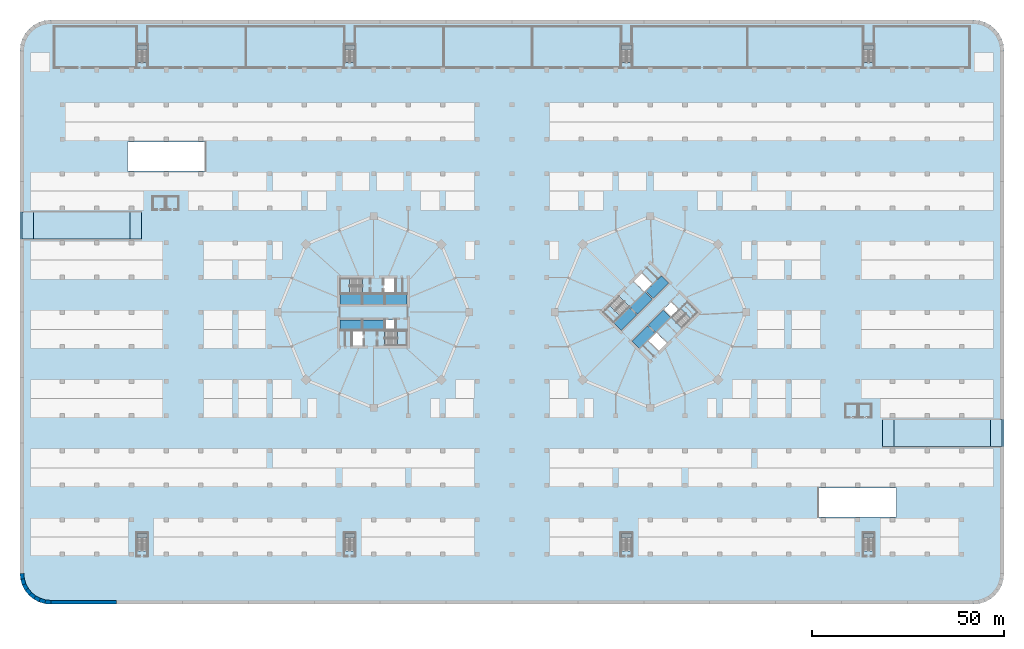
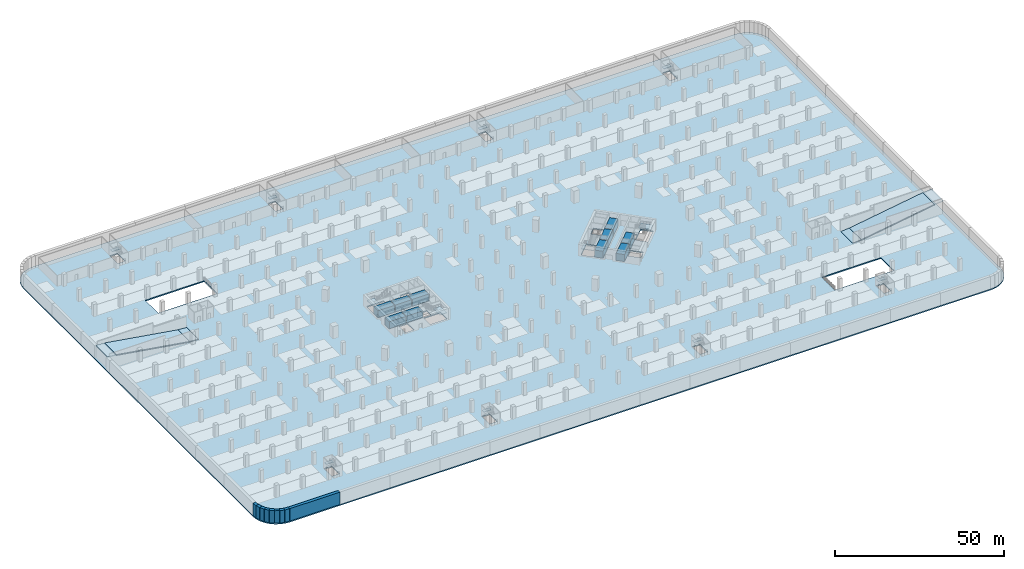
# One storey, part 7 of 34: 29 slabs, 9 walls, 12 elements without a shape of their own.
"""IFC4 building model written with IfcOpenShell, lengths in metres."""

from ifc_helpers import new_model, si_unit, direction, frame, frame_2d, origin, place, context, subcontext, project, spatial, polyline, rectangle, outline, extrude, material, layer, layer_set, type_object, element, aggregate, save


model = new_model("IFC4")

# Units and contexts
model_context = context("Model", 3, precision=1e-05, world=origin(), true_north=direction((0.0, 1.0)))
body_context = subcontext(model_context, "Body", "Model", "MODEL_VIEW")
ifc_project = project(units=[si_unit("LENGTHUNIT", "METRE"), si_unit("AREAUNIT", "SQUARE_METRE"), si_unit("VOLUMEUNIT", "CUBIC_METRE"), si_unit("PLANEANGLEUNIT", "RADIAN"), si_unit("MASSUNIT", "GRAM", prefix="KILO")], contexts=[model_context])

# Site, building, storey
site_placement = place(None, origin())
site = spatial("IfcSite", under=ifc_project, at=site_placement, CompositionType="ELEMENT")
building_placement = place(site_placement, origin())
building = spatial("IfcBuilding", under=site, at=building_placement, Name="Ogive Gate Towers", CompositionType="ELEMENT")
storey_placement = place(building_placement, frame((0.0, 0.0, -4.5)))
storey = spatial("IfcBuildingStorey", under=building, at=storey_placement, Name="B1", CompositionType="ELEMENT", Elevation=-4.5)

# Stair, slab
ifc_material_1 = material(Name="Reinforced concrete C32/40", Category="concrete")
stair_type_1 = type_object("IfcStairType", Name="Car park escape stair 173 x 280", PredefinedType="HALF_TURN_STAIR", material=ifc_material_1)
stair_1_placement = place(storey_placement, origin())
stair_1 = element("IfcStair", 1, at=stair_1_placement, inside=storey, type_object=stair_type_1, Name="B1 escape stair", PredefinedType="HALF_TURN_STAIR")
ifc_layer_1 = layer(ifc_material_1, 0.199951171875)
ifc_layer_set_1 = layer_set([ifc_layer_1], Name="Car park stair landing 200")
slab_type_1 = type_object("IfcSlabType", Name="Car park stair landing 200", PredefinedType="LANDING", material=ifc_layer_set_1)
slab_1_placement = place(storey_placement, frame((0.0, 0.0, 2.050048828125)))
slab_1 = element("IfcSlab", 2, at=slab_1_placement, type_object=slab_type_1, Name="CS1 landing 1", PredefinedType="LANDING", context=body_context, shape_type="SweptSolid", body=[
    extrude(outline(polyline([(-94.949951171875, 68.260009765625), (-94.949951171875, 69.4599609375), (-97.5, 69.4599609375), (-97.5, 68.260009765625), (-94.949951171875, 68.260009765625)])), origin(), (0.0, 0.0, 1.0), 0.199951171875),
])
aggregate(stair_1, [slab_1])

stair_2_placement = place(storey_placement, origin())
stair_2 = element("IfcStair", 3, at=stair_2_placement, inside=storey, type_object=stair_type_1, Name="B1 escape stair", PredefinedType="HALF_TURN_STAIR")
slab_2_placement = place(storey_placement, frame((0.0, 0.0, 2.050048828125)))
slab_2 = element("IfcSlab", 4, at=slab_2_placement, type_object=slab_type_1, Name="CS2 landing 1", PredefinedType="LANDING", context=body_context, shape_type="SweptSolid", body=[
    extrude(outline(polyline([(-40.949951171875, 68.260009765625), (-40.949951171875, 69.4599609375), (-43.5, 69.4599609375), (-43.5, 68.260009765625), (-40.949951171875, 68.260009765625)])), origin(), (0.0, 0.0, 1.0), 0.199951171875),
])
aggregate(stair_2, [slab_2])

stair_3_placement = place(storey_placement, origin())
stair_3 = element("IfcStair", 5, at=stair_3_placement, inside=storey, type_object=stair_type_1, Name="B1 escape stair", PredefinedType="HALF_TURN_STAIR")
slab_3_placement = place(storey_placement, frame((0.0, 0.0, 2.050048828125)))
slab_3 = element("IfcSlab", 6, at=slab_3_placement, type_object=slab_type_1, Name="CS3 landing 1", PredefinedType="LANDING", context=body_context, shape_type="SweptSolid", body=[
    extrude(outline(polyline([(31.050048828125, 68.260009765625), (31.050048828125, 69.4599609375), (28.5, 69.4599609375), (28.5, 68.260009765625), (31.050048828125, 68.260009765625)])), origin(), (0.0, 0.0, 1.0), 0.199951171875),
])
aggregate(stair_3, [slab_3])

stair_4_placement = place(storey_placement, origin())
stair_4 = element("IfcStair", 7, at=stair_4_placement, inside=storey, type_object=stair_type_1, Name="B1 escape stair", PredefinedType="HALF_TURN_STAIR")
slab_4_placement = place(storey_placement, frame((0.0, 0.0, 2.050048828125)))
slab_4 = element("IfcSlab", 8, at=slab_4_placement, type_object=slab_type_1, Name="CS4 landing 1", PredefinedType="LANDING", context=body_context, shape_type="SweptSolid", body=[
    extrude(outline(polyline([(94.050048828125, 68.260009765625), (94.050048828125, 69.4599609375), (91.5, 69.4599609375), (91.5, 68.260009765625), (94.050048828125, 68.260009765625)])), origin(), (0.0, 0.0, 1.0), 0.199951171875),
])
aggregate(stair_4, [slab_4])

stair_5_placement = place(storey_placement, origin())
stair_5 = element("IfcStair", 9, at=stair_5_placement, inside=storey, type_object=stair_type_1, Name="B1 escape stair", PredefinedType="HALF_TURN_STAIR")
slab_5_placement = place(storey_placement, frame((0.0, 0.0, 2.050048828125)))
slab_5 = element("IfcSlab", 10, at=slab_5_placement, type_object=slab_type_1, Name="CS5 landing 1", PredefinedType="LANDING", context=body_context, shape_type="SweptSolid", body=[
    extrude(outline(polyline([(-94.949951171875, -58.739990234375), (-94.949951171875, -57.5400390625), (-97.5, -57.5400390625), (-97.5, -58.739990234375), (-94.949951171875, -58.739990234375)])), origin(), (0.0, 0.0, 1.0), 0.199951171875),
])
aggregate(stair_5, [slab_5])

stair_6_placement = place(storey_placement, origin())
stair_6 = element("IfcStair", 11, at=stair_6_placement, inside=storey, type_object=stair_type_1, Name="B1 escape stair", PredefinedType="HALF_TURN_STAIR")
slab_6_placement = place(storey_placement, frame((0.0, 0.0, 2.050048828125)))
slab_6 = element("IfcSlab", 12, at=slab_6_placement, type_object=slab_type_1, Name="CS6 landing 1", PredefinedType="LANDING", context=body_context, shape_type="SweptSolid", body=[
    extrude(outline(polyline([(-40.949951171875, -58.739990234375), (-40.949951171875, -57.5400390625), (-43.5, -57.5400390625), (-43.5, -58.739990234375), (-40.949951171875, -58.739990234375)])), origin(), (0.0, 0.0, 1.0), 0.199951171875),
])
aggregate(stair_6, [slab_6])

stair_7_placement = place(storey_placement, origin())
stair_7 = element("IfcStair", 13, at=stair_7_placement, inside=storey, type_object=stair_type_1, Name="B1 escape stair", PredefinedType="HALF_TURN_STAIR")
slab_7_placement = place(storey_placement, frame((0.0, 0.0, 2.050048828125)))
slab_7 = element("IfcSlab", 14, at=slab_7_placement, type_object=slab_type_1, Name="CS7 landing 1", PredefinedType="LANDING", context=body_context, shape_type="SweptSolid", body=[
    extrude(outline(polyline([(31.050048828125, -58.739990234375), (31.050048828125, -57.5400390625), (28.5, -57.5400390625), (28.5, -58.739990234375), (31.050048828125, -58.739990234375)])), origin(), (0.0, 0.0, 1.0), 0.199951171875),
])
aggregate(stair_7, [slab_7])

stair_8_placement = place(storey_placement, origin())
stair_8 = element("IfcStair", 15, at=stair_8_placement, inside=storey, type_object=stair_type_1, Name="B1 escape stair", PredefinedType="HALF_TURN_STAIR")
slab_8_placement = place(storey_placement, frame((0.0, 0.0, 2.050048828125)))
slab_8 = element("IfcSlab", 16, at=slab_8_placement, type_object=slab_type_1, Name="CS8 landing 1", PredefinedType="LANDING", context=body_context, shape_type="SweptSolid", body=[
    extrude(outline(polyline([(94.050048828125, -58.739990234375), (94.050048828125, -57.5400390625), (91.5, -57.5400390625), (91.5, -58.739990234375), (94.050048828125, -58.739990234375)])), origin(), (0.0, 0.0, 1.0), 0.199951171875),
])
aggregate(stair_8, [slab_8])

# Slabs
ifc_material_2 = material(Name="Concrete C35/45", Category="concrete")
ifc_layer_2 = layer(ifc_material_2, 0.400390625)
ifc_layer_set_2 = layer_set([ifc_layer_2], Name="Flat plate slab 400")
slab_type_2 = type_object("IfcSlabType", Name="Flat plate slab 400", PredefinedType="FLOOR", material=ifc_layer_set_2)
slab_9_placement = place(storey_placement, frame((0.0, 0.0, -0.400390625)))
element("IfcSlab", 17, at=slab_9_placement, inside=storey, type_object=slab_type_2, Name="BS/B1/SSL001", PredefinedType="FLOOR", context=body_context, shape_type="SweptSolid", body=[
    extrude(outline(polyline([(121.560791015625, 75.84619140625), (120.0, 76.0), (-120.0, 76.0), (-121.560791015625, 75.84619140625), (-123.0615234375, 75.39111328125), (-124.444580078125, 74.65185546875), (-125.65673828125, 73.65673828125), (-126.65185546875, 72.444580078125), (-127.39111328125, 71.0615234375), (-127.84619140625, 69.560791015625), (-128.0, 68.0), (-128.0, -68.0), (-127.84619140625, -69.560791015625), (-127.39111328125, -71.0615234375), (-126.65185546875, -72.444580078125), (-125.65673828125, -73.65673828125), (-124.444580078125, -74.65185546875), (-123.0615234375, -75.39111328125), (-121.560791015625, -75.84619140625), (-120.0, -76.0), (120.0, -76.0), (121.560791015625, -75.84619140625), (123.0615234375, -75.39111328125), (124.444580078125, -74.65185546875), (125.65673828125, -73.65673828125), (126.65185546875, -72.444580078125), (127.39111328125, -71.0615234375), (127.84619140625, -69.560791015625), (128.0, -68.0), (128.0, 68.0), (127.84619140625, 69.560791015625), (127.39111328125, 71.0615234375), (126.65185546875, 72.444580078125), (125.65673828125, 73.65673828125), (124.444580078125, 74.65185546875), (123.0615234375, 75.39111328125), (121.560791015625, 75.84619140625)]), holes=[polyline([(-32.97509765625, -4.625), (-32.97509765625, -2.0), (-30.324951171875, -2.0), (-30.324951171875, -4.625), (-32.97509765625, -4.625)]), polyline([(-30.425048828125, 8.699951171875), (-30.425048828125, 4.875), (-33.375, 4.875), (-33.375, 8.699951171875), (-30.425048828125, 8.699951171875)]), polyline([(-41.574951171875, -8.699951171875), (-41.574951171875, -4.875), (-38.625, -4.875), (-38.625, -8.699951171875), (-41.574951171875, -8.699951171875)]), polyline([(-44.699951171875, 4.875), (-44.699951171875, 8.699951171875), (-38.885009765625, 8.699951171875), (-38.885009765625, 4.875), (-44.699951171875, 4.875)]), polyline([(-33.114990234375, -8.699951171875), (-33.114990234375, -4.875), (-27.300048828125, -4.875), (-27.300048828125, -8.699951171875), (-33.114990234375, -8.699951171875)]), polyline([(39.55322265625, 0.724853515625), (41.427001953125, 2.5986328125), (43.283203125, 0.742431640625), (41.409423828125, -1.13134765625), (39.55322265625, 0.724853515625)]), polyline([(36.494873046875, 7.38916015625), (34.408935546875, 5.30322265625), (31.704345703125, 8.008056640625), (33.790283203125, 10.093994140625), (36.494873046875, 7.38916015625)]), polyline([(35.505126953125, -7.38916015625), (37.591064453125, -5.30322265625), (40.295654296875, -8.008056640625), (38.209716796875, -10.093994140625), (35.505126953125, -7.38916015625)]), polyline([(23.6962890625, 0.0), (27.80810546875, 4.11181640625), (30.512939453125, 1.4072265625), (26.401123046875, -2.70458984375), (23.6962890625, 0.0)]), polyline([(41.487060546875, -1.4072265625), (45.598876953125, 2.70458984375), (48.3037109375, 0.0), (44.19189453125, -4.11181640625), (41.487060546875, -1.4072265625)]), polyline([(-100.0, 44.300048828125), (-79.800048828125, 44.300048828125), (-79.800048828125, 36.699951171875), (-100.0, 36.699951171875), (-100.0, 44.300048828125)]), polyline([(100.0, -45.699951171875), (100.0, -53.300048828125), (79.800048828125, -53.300048828125), (79.800048828125, -45.699951171875), (100.0, -45.699951171875)]), polyline([(-94.949951171875, 64.89990234375), (-97.5, 64.89990234375), (-97.5, 69.4599609375), (-94.949951171875, 69.4599609375), (-94.949951171875, 64.89990234375)]), polyline([(-43.5, 64.89990234375), (-43.5, 69.4599609375), (-40.949951171875, 69.4599609375), (-40.949951171875, 64.89990234375), (-43.5, 64.89990234375)]), polyline([(28.5, 69.4599609375), (31.050048828125, 69.4599609375), (31.050048828125, 64.89990234375), (28.5, 64.89990234375), (28.5, 69.4599609375)]), polyline([(94.050048828125, 69.4599609375), (94.050048828125, 64.89990234375), (91.5, 64.89990234375), (91.5, 69.4599609375), (94.050048828125, 69.4599609375)]), polyline([(-94.949951171875, -62.10009765625), (-97.5, -62.10009765625), (-97.5, -57.5400390625), (-94.949951171875, -57.5400390625), (-94.949951171875, -62.10009765625)]), polyline([(-43.5, -62.10009765625), (-43.5, -57.5400390625), (-40.949951171875, -57.5400390625), (-40.949951171875, -62.10009765625), (-43.5, -62.10009765625)]), polyline([(28.5, -57.5400390625), (31.050048828125, -57.5400390625), (31.050048828125, -62.10009765625), (28.5, -62.10009765625), (28.5, -57.5400390625)]), polyline([(94.050048828125, -57.5400390625), (94.050048828125, -62.10009765625), (91.5, -62.10009765625), (91.5, -57.5400390625), (94.050048828125, -57.5400390625)])]), origin(), (0.0, 0.0, 1.0), 0.400390625),
])
ifc_material_3 = material(Name="Concrete C40/50", Category="concrete")
ifc_layer_3 = layer(ifc_material_3, 2.5)
ifc_layer_set_3 = layer_set([ifc_layer_3], Name="Lift pit base C40/50 2500 mm")
slab_type_3 = type_object("IfcSlabType", Name="Lift pit base C40/50 2500 mm", PredefinedType="BASESLAB", material=ifc_layer_set_3)
slab_10_placement = place(storey_placement, origin())
element("IfcSlab", 18, at=slab_10_placement, inside=storey, type_object=slab_type_3, Name="T1 lift pit base A1", PredefinedType="BASESLAB", context=body_context, shape_type="SweptSolid", body=[
    extrude(outline(polyline([(-44.699951171875, 2.0), (-39.02490234375, 2.0), (-39.02490234375, 4.625), (-44.699951171875, 4.625), (-44.699951171875, 2.0)])), origin(), (0.0, 0.0, 1.0), 2.5),
])
slab_11_placement = place(storey_placement, origin())
element("IfcSlab", 19, at=slab_11_placement, inside=storey, type_object=slab_type_3, Name="T1 lift pit base A3", PredefinedType="BASESLAB", context=body_context, shape_type="SweptSolid", body=[
    extrude(outline(polyline([(-38.77490234375, 2.0), (-33.22509765625, 2.0), (-33.22509765625, 4.625), (-38.77490234375, 4.625), (-38.77490234375, 2.0)])), origin(), (0.0, 0.0, 1.0), 2.5),
])
slab_12_placement = place(storey_placement, origin())
element("IfcSlab", 20, at=slab_12_placement, inside=storey, type_object=slab_type_3, Name="T1 lift pit base A5", PredefinedType="BASESLAB", context=body_context, shape_type="SweptSolid", body=[
    extrude(outline(polyline([(-32.97509765625, 2.0), (-27.300048828125, 2.0), (-27.300048828125, 4.625), (-32.97509765625, 4.625), (-32.97509765625, 2.0)])), origin(), (0.0, 0.0, 1.0), 2.5),
])
slab_13_placement = place(storey_placement, origin())
element("IfcSlab", 21, at=slab_13_placement, inside=storey, type_object=slab_type_3, Name="T1 lift pit base S1", PredefinedType="BASESLAB", context=body_context, shape_type="SweptSolid", body=[
    extrude(outline(polyline([(-44.699951171875, -4.625), (-39.02490234375, -4.625), (-39.02490234375, -2.0), (-44.699951171875, -2.0), (-44.699951171875, -4.625)])), origin(), (0.0, 0.0, 1.0), 2.5),
])
slab_14_placement = place(storey_placement, origin())
element("IfcSlab", 22, at=slab_14_placement, inside=storey, type_object=slab_type_3, Name="T1 lift pit base S3", PredefinedType="BASESLAB", context=body_context, shape_type="SweptSolid", body=[
    extrude(outline(polyline([(-38.77490234375, -4.625), (-33.22509765625, -4.625), (-33.22509765625, -2.0), (-38.77490234375, -2.0), (-38.77490234375, -4.625)])), origin(), (0.0, 0.0, 1.0), 2.5),
])
slab_15_placement = place(storey_placement, origin())
element("IfcSlab", 23, at=slab_15_placement, inside=storey, type_object=slab_type_3, Name="T2 lift pit base A1", PredefinedType="BASESLAB", context=body_context, shape_type="SweptSolid", body=[
    extrude(outline(polyline([(28.43408203125, -4.737548828125), (32.44677734375, -0.724853515625), (30.590576171875, 1.13134765625), (26.577880859375, -2.881591796875), (28.43408203125, -4.737548828125)])), origin(), (0.0, 0.0, 1.0), 2.5),
])
slab_16_placement = place(storey_placement, origin())
element("IfcSlab", 24, at=slab_16_placement, inside=storey, type_object=slab_type_3, Name="T2 lift pit base A3", PredefinedType="BASESLAB", context=body_context, shape_type="SweptSolid", body=[
    extrude(outline(polyline([(32.62353515625, -0.548095703125), (36.548095703125, 3.37646484375), (34.69189453125, 5.232666015625), (30.767333984375, 1.30810546875), (32.62353515625, -0.548095703125)])), origin(), (0.0, 0.0, 1.0), 2.5),
])
slab_17_placement = place(storey_placement, origin())
element("IfcSlab", 25, at=slab_17_placement, inside=storey, type_object=slab_type_3, Name="T2 lift pit base A5", PredefinedType="BASESLAB", context=body_context, shape_type="SweptSolid", body=[
    extrude(outline(polyline([(36.724853515625, 3.55322265625), (40.737548828125, 7.56591796875), (38.881591796875, 9.422119140625), (34.86865234375, 5.409423828125), (36.724853515625, 3.55322265625)])), origin(), (0.0, 0.0, 1.0), 2.5),
])
slab_18_placement = place(storey_placement, origin())
element("IfcSlab", 26, at=slab_18_placement, inside=storey, type_object=slab_type_3, Name="T2 lift pit base S1", PredefinedType="BASESLAB", context=body_context, shape_type="SweptSolid", body=[
    extrude(outline(polyline([(33.118408203125, -9.422119140625), (37.13134765625, -5.409423828125), (35.275146484375, -3.55322265625), (31.262451171875, -7.56591796875), (33.118408203125, -9.422119140625)])), origin(), (0.0, 0.0, 1.0), 2.5),
])
slab_19_placement = place(storey_placement, origin())
element("IfcSlab", 27, at=slab_19_placement, inside=storey, type_object=slab_type_3, Name="T2 lift pit base S3", PredefinedType="BASESLAB", context=body_context, shape_type="SweptSolid", body=[
    extrude(outline(polyline([(37.30810546875, -5.232666015625), (41.232666015625, -1.30810546875), (39.37646484375, 0.548095703125), (35.451904296875, -3.37646484375), (37.30810546875, -5.232666015625)])), origin(), (0.0, 0.0, 1.0), 2.5),
])

# Stair, slab
stair_type_2 = type_object("IfcStairType", Name="Escape stair 1840 wide", PredefinedType="HALF_TURN_STAIR", material=ifc_material_3)
stair_9_placement = place(storey_placement, origin())
stair_9 = element("IfcStair", 28, at=stair_9_placement, inside=storey, type_object=stair_type_2, Name="B1 Escape stair 1", PredefinedType="HALF_TURN_STAIR")
ifc_layer_4 = layer(ifc_material_3, 0.199951171875)
ifc_layer_set_4 = layer_set([ifc_layer_4], Name="Stair landing 200 mm")
slab_type_4 = type_object("IfcSlabType", Name="Stair landing 200 mm", PredefinedType="LANDING", material=ifc_layer_set_4)
slab_20_placement = place(storey_placement, frame((0.0, 0.0, 2.050048828125)))
slab_20 = element("IfcSlab", 29, at=slab_20_placement, type_object=slab_type_4, Name="ST1 landing 1", PredefinedType="LANDING", context=body_context, shape_type="SweptSolid", body=[
    extrude(outline(polyline([(-42.22509765625, 8.699951171875), (-44.699951171875, 8.699951171875), (-44.699951171875, 4.875), (-42.22509765625, 4.875), (-42.22509765625, 8.699951171875)])), origin(), (0.0, 0.0, 1.0), 0.199951171875),
])
aggregate(stair_9, [slab_20])

stair_10_placement = place(storey_placement, origin())
stair_10 = element("IfcStair", 30, at=stair_10_placement, inside=storey, type_object=stair_type_2, Name="B1 Escape stair 2", PredefinedType="HALF_TURN_STAIR")
slab_21_placement = place(storey_placement, frame((0.0, 0.0, 2.050048828125)))
slab_21 = element("IfcSlab", 31, at=slab_21_placement, type_object=slab_type_4, Name="ST2 landing 1", PredefinedType="LANDING", context=body_context, shape_type="SweptSolid", body=[
    extrude(outline(polyline([(-29.77490234375, -8.699951171875), (-27.300048828125, -8.699951171875), (-27.300048828125, -4.875), (-29.77490234375, -4.875), (-29.77490234375, -8.699951171875)])), origin(), (0.0, 0.0, 1.0), 0.199951171875),
])
aggregate(stair_10, [slab_21])

stair_11_placement = place(storey_placement, origin())
stair_11 = element("IfcStair", 32, at=stair_11_placement, inside=storey, type_object=stair_type_2, Name="B1 Escape stair 1", PredefinedType="HALF_TURN_STAIR")
slab_22_placement = place(storey_placement, frame((0.0, 0.0, 2.050048828125)))
slab_22 = element("IfcSlab", 33, at=slab_22_placement, type_object=slab_type_4, Name="ST1 landing 1", PredefinedType="LANDING", context=body_context, shape_type="SweptSolid", body=[
    extrude(outline(polyline([(25.446533203125, 1.75), (23.6962890625, 0.0), (26.401123046875, -2.70458984375), (28.151123046875, -0.95458984375), (25.446533203125, 1.75)])), origin(), (0.0, 0.0, 1.0), 0.199951171875),
])
aggregate(stair_11, [slab_22])

stair_12_placement = place(storey_placement, origin())
stair_12 = element("IfcStair", 34, at=stair_12_placement, inside=storey, type_object=stair_type_2, Name="B1 Escape stair 2", PredefinedType="HALF_TURN_STAIR")
slab_23_placement = place(storey_placement, frame((0.0, 0.0, 2.050048828125)))
slab_23 = element("IfcSlab", 35, at=slab_23_placement, type_object=slab_type_4, Name="ST2 landing 1", PredefinedType="LANDING", context=body_context, shape_type="SweptSolid", body=[
    extrude(outline(polyline([(46.553466796875, -1.75), (48.3037109375, 0.0), (45.598876953125, 2.70458984375), (43.848876953125, 0.95458984375), (46.553466796875, -1.75)])), origin(), (0.0, 0.0, 1.0), 0.199951171875),
])
aggregate(stair_12, [slab_23])

# Slabs
ifc_material_4 = material(Name="Concrete C32/40", Category="concrete")
ifc_layer_5 = layer(ifc_material_4, 0.300048828125)
ifc_layer_set_5 = layer_set([ifc_layer_5], Name="Vehicle ramp slab C32/40 300 mm")
slab_type_5 = type_object("IfcSlabType", Name="Vehicle ramp slab C32/40 300 mm", PredefinedType="FLOOR", material=ifc_layer_set_5)
slab_24_placement = place(storey_placement, frame((99.375, -31.5, 0.0), z_axis=(0.0, 0.0, 1.0), x_axis=(1.0, 0.0, 0.0)))
element("IfcSlab", 36, at=slab_24_placement, inside=storey, type_object=slab_type_5, Name="Grade car ramp east slab 2", PredefinedType="FLOOR", context=body_context, shape_type="SweptSolid", body=[
    extrude(outline(polyline([(0.0, 0.0), (0.375, 0.0), (25.125, 3.9599609375), (25.125, 4.260009765625), (0.0, 0.239990234375), (0.0, 0.0)])), frame((0.0, 3.5, 0.0), z_axis=(0.0, -1.0, 0.0), x_axis=(1.0, 0.0, 0.0)), (0.0, 0.0, 1.0), 7.0),
])
slab_25_placement = place(storey_placement, frame((124.5, -31.5, 0.0), z_axis=(0.0, 0.0, 1.0), x_axis=(1.0, 0.0, 0.0)))
element("IfcSlab", 37, at=slab_25_placement, inside=storey, type_object=slab_type_5, Name="Grade car ramp east slab 3", PredefinedType="FLOOR", context=body_context, shape_type="SweptSolid", body=[
    extrude(outline(polyline([(0.0, 3.9599609375), (3.0, 4.199951171875), (3.0, 4.5), (0.0, 4.260009765625), (0.0, 3.9599609375)])), frame((0.0, 3.5, 0.0), z_axis=(0.0, -1.0, 0.0), x_axis=(1.0, 0.0, 0.0)), (0.0, 0.0, 1.0), 7.0),
])
slab_26_placement = place(storey_placement, frame((-124.5, 22.5, 0.0), z_axis=(0.0, 0.0, 1.0), x_axis=(1.0, 0.0, 0.0)))
element("IfcSlab", 38, at=slab_26_placement, inside=storey, type_object=slab_type_5, Name="Grade car ramp west slab 2", PredefinedType="FLOOR", context=body_context, shape_type="SweptSolid", body=[
    extrude(outline(polyline([(0.0, 3.9599609375), (24.75, 0.0), (25.125, 0.0), (25.125, 0.239990234375), (0.0, 4.260009765625), (0.0, 3.9599609375)])), frame((0.0, 3.5, 0.0), z_axis=(0.0, -1.0, 0.0), x_axis=(1.0, 0.0, 0.0)), (0.0, 0.0, 1.0), 7.0),
])
slab_27_placement = place(storey_placement, frame((-127.5, 22.5, 0.0), z_axis=(0.0, 0.0, 1.0), x_axis=(1.0, 0.0, 0.0)))
element("IfcSlab", 39, at=slab_27_placement, inside=storey, type_object=slab_type_5, Name="Grade car ramp west slab 3", PredefinedType="FLOOR", context=body_context, shape_type="SweptSolid", body=[
    extrude(outline(polyline([(0.0, 4.199951171875), (3.0, 3.9599609375), (3.0, 4.260009765625), (0.0, 4.5), (0.0, 4.199951171875)])), frame((0.0, 3.5, 0.0), z_axis=(0.0, -1.0, 0.0), x_axis=(1.0, 0.0, 0.0)), (0.0, 0.0, 1.0), 7.0),
])
ifc_layer_6 = layer(ifc_material_4, 0.239990234375)
ifc_layer_set_6 = layer_set([ifc_layer_6], Name="Vehicle ramp toe slab C32/40 240 mm")
slab_type_6 = type_object("IfcSlabType", Name="Vehicle ramp toe slab C32/40 240 mm", PredefinedType="FLOOR", material=ifc_layer_set_6)
slab_28_placement = place(storey_placement, frame((96.375, -31.5, 0.0), z_axis=(0.0, 0.0, 1.0), x_axis=(1.0, 0.0, 0.0)))
element("IfcSlab", 40, at=slab_28_placement, inside=storey, type_object=slab_type_6, Name="Grade car ramp east slab 1", PredefinedType="FLOOR", context=body_context, shape_type="SweptSolid", body=[
    extrude(outline(polyline([(0.0, 0.0), (3.0, 0.0), (3.0, 0.239990234375), (0.0, 0.0), (0.0, 0.0)])), frame((0.0, 3.5, 0.0), z_axis=(0.0, -1.0, 0.0), x_axis=(1.0, 0.0, 0.0)), (0.0, 0.0, 1.0), 7.0),
])
slab_29_placement = place(storey_placement, frame((-99.375, 22.5, 0.0), z_axis=(0.0, 0.0, 1.0), x_axis=(1.0, 0.0, 0.0)))
element("IfcSlab", 41, at=slab_29_placement, inside=storey, type_object=slab_type_6, Name="Grade car ramp west slab 1", PredefinedType="FLOOR", context=body_context, shape_type="SweptSolid", body=[
    extrude(outline(polyline([(0.0, 0.0), (3.0, 0.0), (3.0, 0.0), (0.0, 0.239990234375), (0.0, 0.0)])), frame((0.0, 3.5, 0.0), z_axis=(0.0, -1.0, 0.0), x_axis=(1.0, 0.0, 0.0)), (0.0, 0.0, 1.0), 7.0),
])

# Walls
ifc_layer_7 = layer(ifc_material_3, 1.0)
ifc_layer_set_7 = layer_set([ifc_layer_7], Name="Retaining wall 1000")
wall_type = type_object("IfcWallType", Name="Retaining wall 1000", PredefinedType="SOLIDWALL", material=ifc_layer_set_7)
wall_1_placement = place(storey_placement, frame((-102.836181640625, -75.5, 0.0), z_axis=(0.0, 0.0, 1.0), x_axis=(-1.0, 0.0, 0.0)))
element("IfcWall", 42, at=wall_1_placement, inside=storey, type_object=wall_type, Name="BS/B1/SWL014", PredefinedType="SOLIDWALL", context=body_context, shape_type="SweptSolid", body=[
    extrude(rectangle(XDim=17.13916015625, YDim=1.0, at=frame_2d((8.569580078125, 0.0))), origin(), (0.0, 0.0, 1.0), 4.5),
])
wall_2_placement = place(storey_placement, frame((-119.975341796875, -75.5, 0.0), z_axis=(0.0, 0.0, 1.0), x_axis=(-0.995184880112, 0.098015582414, 0.0)))
element("IfcWall", 43, at=wall_2_placement, inside=storey, type_object=wall_type, Name="BS/B1/SWL015", PredefinedType="SOLIDWALL", context=body_context, shape_type="SweptSolid", body=[
    extrude(rectangle(XDim=1.494384765625, YDim=1.0, at=frame_2d((0.7470703125, 0.0))), origin(), (0.0, 0.0, 1.0), 4.5),
])
for number, where, z_axis, x_axis, name in (
    (44, (-121.462646484375, -75.353515625, 0.0), (0.0, 0.0, 1.0), (-0.956920965645, 0.290348524206, 0.0), "BS/B1/SWL016"),
    (45, (-122.869140625, -74.9267578125, 0.0), (0.0, 0.0, 1.0), (-0.882007853381, 0.471234704339, 0.0), "BS/B1/SWL017"),
    (46, (-124.16552734375, -74.234130859375, 0.0), (0.0, 0.0, 1.0), (-0.772897900132, 0.634530405868, 0.0), "BS/B1/SWL018"),
    (47, (-125.301513671875, -73.301513671875, 0.0), (0.0, 0.0, 1.0), (-0.634530405868, 0.772897900132, 0.0), "BS/B1/SWL019"),
    (48, (-126.234130859375, -72.16552734375, 0.0), (0.0, 0.0, 1.0), (-0.471234704339, 0.882007853381, 0.0), "BS/B1/SWL020"),
    (49, (-126.9267578125, -70.869140625, 0.0), (0.0, 0.0, 1.0), (-0.290348524206, 0.956920965645, 0.0), "BS/B1/SWL021"),
):
    element("IfcWall", number, at=place(storey_placement, frame(where, z_axis=z_axis, x_axis=x_axis)), inside=storey, type_object=wall_type, Name=name, PredefinedType="SOLIDWALL", context=body_context, shape_type="SweptSolid", body=[
        extrude(rectangle(XDim=1.4697265625, YDim=1.0, at=frame_2d((0.73486328125, 0.0))), origin(), (0.0, 0.0, 1.0), 4.5),
    ])
wall_3_placement = place(storey_placement, frame((-127.353515625, -69.462646484375, 0.0), z_axis=(0.0, 0.0, 1.0), x_axis=(-0.098015582414, 0.995184880112, 0.0)))
element("IfcWall", 50, at=wall_3_placement, inside=storey, type_object=wall_type, Name="BS/B1/SWL022", PredefinedType="SOLIDWALL", context=body_context, shape_type="SweptSolid", body=[
    extrude(rectangle(XDim=1.494384765625, YDim=1.0, at=frame_2d((0.7470703125, 0.0))), origin(), (0.0, 0.0, 1.0), 4.5),
])

save(model, "model.ifc")
